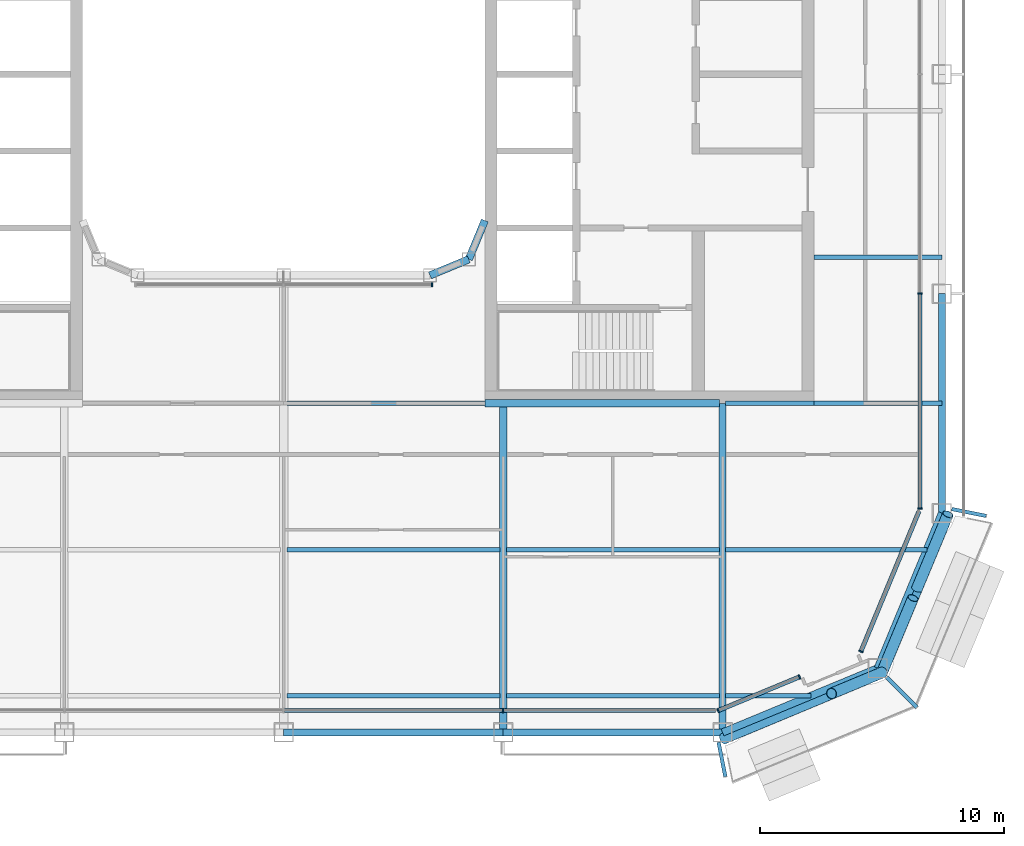
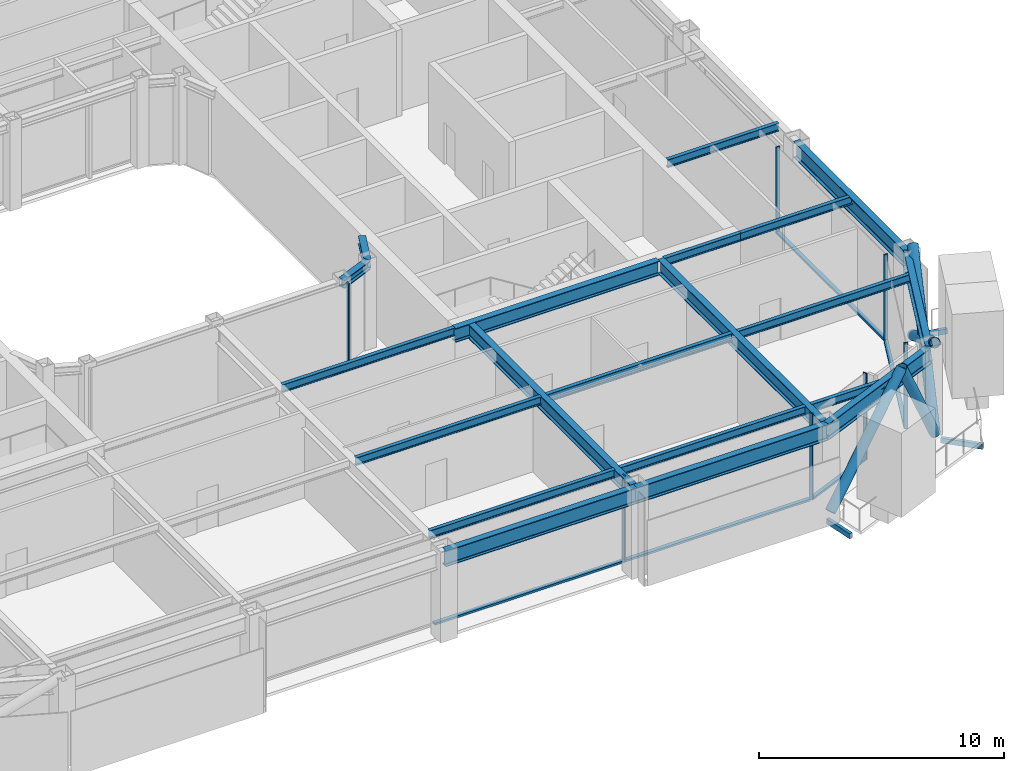
# One storey, part 4 of 23: 23 beams, 17 members, 5 elements without a shape of their own.
"""IFC4 building model written with IfcOpenShell, lengths in metres."""

from ifc_helpers import new_model, si_unit, direction, frame, origin, origin_2d, place, context, subcontext, project, spatial, rectangle, hollow_rectangle, hollow_circle, i_section, extrude, material, layer, layer_set, material_profile, profile_set, type_object, element, aggregate, save


model = new_model("IFC4")

# Units and contexts
model_context = context("Model", 3, precision=1e-05, world=origin(), true_north=direction((0.0, 1.0)))
body_context = subcontext(model_context, "Body", "Model", "MODEL_VIEW")
ifc_project = project(units=[si_unit("LENGTHUNIT", "METRE"), si_unit("AREAUNIT", "SQUARE_METRE"), si_unit("VOLUMEUNIT", "CUBIC_METRE"), si_unit("PLANEANGLEUNIT", "RADIAN"), si_unit("MASSUNIT", "GRAM", prefix="KILO")], contexts=[model_context])

# Site, building, storey
site_placement = place(None, origin())
site = spatial("IfcSite", under=ifc_project, at=site_placement, CompositionType="ELEMENT")
building_placement = place(site_placement, origin())
building = spatial("IfcBuilding", under=site, at=building_placement, Name="Siwar Civic Tower", CompositionType="ELEMENT")
storey_placement = place(building_placement, frame((0.0, 0.0, 273.699951171875)))
storey = spatial("IfcBuildingStorey", under=building, at=storey_placement, Name="L59", CompositionType="ELEMENT", Elevation=273.699951171875)

# Beams
ifc_material_1 = material(Name="Steel S355", Category="steel")
ifc_material_profile_1 = material_profile(ifc_material_1, hollow_rectangle(XDim=0.14990234375, YDim=0.25, WallThickness=0.010009765625, at=origin_2d()), Name="RHS250x150x10")
ifc_profile_set_1 = profile_set([ifc_material_profile_1], Name="Steel S355")
beam_type_1 = type_object("IfcBeamType", Name="ENV-BALCONY ARM", PredefinedType="BEAM", material=ifc_profile_set_1)
beam_1_placement = place(storey_placement, frame((17.8349609375, -27.39990234375, -0.27490234375), z_axis=(0.195042496631, -0.980794792252, 0.0), x_axis=(0.980794792252, 0.195042496631, 0.0)))
element("IfcBeam", 1, at=beam_1_placement, inside=storey, type_object=beam_type_1, Name="Balcony cantilever beam SE 1", PredefinedType="BEAM", context=body_context, shape_type="SweptSolid", body=[
    extrude(hollow_rectangle(XDim=0.14990234375, YDim=0.25, WallThickness=0.010009765625, at=origin_2d()), origin(), (0.0, 0.0, 1.0), 1.443359375),
])
beam_2_placement = place(storey_placement, frame((24.728515625, -24.728515625, -0.27490234375), z_axis=(0.707106781187, -0.707106781187, 0.0), x_axis=(0.707106781187, 0.707106781187, 0.0)))
element("IfcBeam", 2, at=beam_2_placement, inside=storey, type_object=beam_type_1, Name="Balcony cantilever beam SE 2", PredefinedType="BEAM", context=body_context, shape_type="SweptSolid", body=[
    extrude(hollow_rectangle(XDim=0.14990234375, YDim=0.25, WallThickness=0.010009765625, at=origin_2d()), origin(), (0.0, 0.0, 1.0), 1.75732421875),
])
beam_3_placement = place(storey_placement, frame((27.39990234375, -17.8349609375, -0.27490234375), z_axis=(0.980794792252, -0.195042496631, 0.0), x_axis=(0.195042496631, 0.980794792252, 0.0)))
element("IfcBeam", 3, at=beam_3_placement, inside=storey, type_object=beam_type_1, Name="Balcony cantilever beam SE 3", PredefinedType="BEAM", context=body_context, shape_type="SweptSolid", body=[
    extrude(hollow_rectangle(XDim=0.14990234375, YDim=0.25, WallThickness=0.010009765625, at=origin_2d()), origin(), (0.0, 0.0, 1.0), 1.443359375),
])

# Curtain wall, member
ifc_material_2 = material(Name="Aluminium and glass", Category="aluminium")
ifc_layer_1 = layer(ifc_material_2, 0.179931640625)
ifc_layer_set_1 = layer_set([ifc_layer_1], Name="Aluminium and glass")
curtain_wall_type_1 = type_object("IfcCurtainWallType", Name="ENV-CW-C", PredefinedType="NOTDEFINED", material=ifc_layer_set_1)
curtain_wall_1_placement = place(storey_placement, origin())
curtain_wall_1 = element("IfcCurtainWall", 4, at=curtain_wall_1_placement, inside=storey, type_object=curtain_wall_type_1, Name="Curtain wall C S", PredefinedType="NOTDEFINED")
ifc_material_3 = material(Name="Aluminium 6063-T6", Category="aluminium")
ifc_material_profile_2 = material_profile(ifc_material_3, rectangle(XDim=0.179931640625, YDim=0.06005859375, at=origin_2d()), Name="AL 180x60")
ifc_profile_set_2 = profile_set([ifc_material_profile_2], Name="Aluminium 6063-T6")
member_type_1 = type_object("IfcMemberType", Name="ENV-MULLION-C", PredefinedType="MULLION", material=ifc_profile_set_2)
member_1_placement = place(storey_placement, frame((9.0, -26.10009765625, 0.0), z_axis=(0.0, 0.0, 1.0), x_axis=(0.0, 1.0, 0.0)))
member_1 = element("IfcMember", 5, at=member_1_placement, type_object=member_type_1, Name="Mullion C S 4", PredefinedType="MULLION", context=body_context, shape_type="SweptSolid", body=[
    extrude(rectangle(XDim=0.179931640625, YDim=0.06005859375, at=origin_2d()), origin(), (0.0, 0.0, 1.0), 4.300048828125),
])

# Curtain wall, members
ifc_material_4 = material(Name="Aluminium clad insulated panel", Category="aluminium")
ifc_layer_2 = layer(ifc_material_4, 0.179931640625)
ifc_layer_set_2 = layer_set([ifc_layer_2], Name="Aluminium clad insulated panel")
curtain_wall_type_2 = type_object("IfcCurtainWallType", Name="ENV-CW-CX", PredefinedType="NOTDEFINED", material=ifc_layer_set_2)
curtain_wall_2_placement = place(storey_placement, origin())
curtain_wall_2 = element("IfcCurtainWall", 6, at=curtain_wall_2_placement, inside=storey, type_object=curtain_wall_type_2, Name="Curtain wall C SE1", PredefinedType="NOTDEFINED")
member_2_placement = place(storey_placement, frame((17.821044921875, -26.10009765625, 0.0), z_axis=(0.0, 0.0, 1.0), x_axis=(-0.382683432365, 0.923879532511, 0.0)))
member_2 = element("IfcMember", 7, at=member_2_placement, type_object=member_type_1, Name="Mullion C SE1 1", PredefinedType="MULLION", context=body_context, shape_type="SweptSolid", body=[
    extrude(rectangle(XDim=0.179931640625, YDim=0.06005859375, at=origin_2d()), origin(), (0.0, 0.0, 1.0), 4.300048828125),
])
member_3_placement = place(storey_placement, frame((21.153564453125, -24.719482421875, 0.0), z_axis=(0.0, 0.0, 1.0), x_axis=(-0.382683432365, 0.923879532511, 0.0)))
member_3 = element("IfcMember", 8, at=member_3_placement, type_object=member_type_1, Name="Mullion C SE1 2", PredefinedType="MULLION", context=body_context, shape_type="SweptSolid", body=[
    extrude(rectangle(XDim=0.179931640625, YDim=0.06005859375, at=origin_2d()), origin(), (0.0, 0.0, 1.0), 4.300048828125),
])

# Curtain wall, member
curtain_wall_3_placement = place(storey_placement, origin())
curtain_wall_3 = element("IfcCurtainWall", 9, at=curtain_wall_3_placement, inside=storey, type_object=curtain_wall_type_2, Name="Curtain wall C SE2", PredefinedType="NOTDEFINED")
member_4_placement = place(storey_placement, frame((23.675048828125, -23.675048828125, 0.0), z_axis=(0.0, 0.0, 1.0), x_axis=(-0.923879532511, 0.382683432365, 0.0)))
member_4 = element("IfcMember", 10, at=member_4_placement, type_object=member_type_1, Name="Mullion C SE2 1", PredefinedType="MULLION", context=body_context, shape_type="SweptSolid", body=[
    extrude(rectangle(XDim=0.179931640625, YDim=0.06005859375, at=origin_2d()), origin(), (0.0, 0.0, 1.0), 4.300048828125),
])

# Curtain wall, members
curtain_wall_4_placement = place(storey_placement, origin())
curtain_wall_4 = element("IfcCurtainWall", 11, at=curtain_wall_4_placement, inside=storey, type_object=curtain_wall_type_1, Name="Curtain wall C E", PredefinedType="NOTDEFINED")
member_5_placement = place(storey_placement, frame((26.10009765625, -17.821044921875, 0.0), z_axis=(0.0, 0.0, 1.0), x_axis=(-1.0, 0.0, 0.0)))
member_5 = element("IfcMember", 12, at=member_5_placement, type_object=member_type_1, Name="Mullion C E 1", PredefinedType="MULLION", context=body_context, shape_type="SweptSolid", body=[
    extrude(rectangle(XDim=0.179931640625, YDim=0.06005859375, at=origin_2d()), origin(), (0.0, 0.0, 1.0), 4.300048828125),
])
member_6_placement = place(storey_placement, frame((26.10009765625, -9.0, 0.0), z_axis=(0.0, 0.0, 1.0), x_axis=(-1.0, 0.0, 0.0)))
member_6 = element("IfcMember", 13, at=member_6_placement, type_object=member_type_1, Name="Mullion C E 2", PredefinedType="MULLION", context=body_context, shape_type="SweptSolid", body=[
    extrude(rectangle(XDim=0.179931640625, YDim=0.06005859375, at=origin_2d()), origin(), (0.0, 0.0, 1.0), 4.300048828125),
])

# Curtain wall, member
ifc_material_5 = material(Name="Aluminium and glass", Category="aluminium")
ifc_layer_3 = layer(ifc_material_5, 0.179931640625)
ifc_layer_set_3 = layer_set([ifc_layer_3], Name="Aluminium and glass")
curtain_wall_type_3 = type_object("IfcCurtainWallType", Name="ENV-CW-W", PredefinedType="NOTDEFINED", material=ifc_layer_set_3)
curtain_wall_5_placement = place(storey_placement, origin())
curtain_wall_5 = element("IfcCurtainWall", 14, at=curtain_wall_5_placement, inside=storey, type_object=curtain_wall_type_3, Name="Curtain wall W WS", PredefinedType="NOTDEFINED")
ifc_material_6 = material(Name="Aluminium 6063-T6", Category="aluminium")
ifc_material_profile_3 = material_profile(ifc_material_6, rectangle(XDim=0.179931640625, YDim=0.06005859375, at=origin_2d()), Name="AL 180x60")
ifc_profile_set_3 = profile_set([ifc_material_profile_3], Name="Aluminium 6063-T6")
member_type_2 = type_object("IfcMemberType", Name="ENV-MULLION-W", PredefinedType="MULLION", material=ifc_profile_set_3)
member_7_placement = place(storey_placement, frame((6.07666015625, -8.635009765625, 0.0), z_axis=(0.0, 0.0, 1.0), x_axis=(0.0, 1.0, 0.0)))
member_7 = element("IfcMember", 15, at=member_7_placement, type_object=member_type_2, Name="Mullion W WS 3", PredefinedType="MULLION", context=body_context, shape_type="SweptSolid", body=[
    extrude(rectangle(XDim=0.179931640625, YDim=0.06005859375, at=origin_2d()), origin(), (0.0, 0.0, 1.0), 4.300048828125),
])
aggregate(curtain_wall_5, [member_7])

# Member
ifc_material_7 = material(Name="Aluminium 6063-T6", Category="aluminium")
ifc_material_profile_4 = material_profile(ifc_material_7, rectangle(XDim=0.179931640625, YDim=0.10009765625, at=origin_2d()), Name="AL 180x100")
ifc_profile_set_4 = profile_set([ifc_material_profile_4], Name="Aluminium 6063-T6")
member_type_3 = type_object("IfcMemberType", Name="ENV-TRANSOM-C", PredefinedType="USERDEFINED", material=ifc_profile_set_4)
member_8_placement = place(storey_placement, frame((0.030029296875, -26.10009765625, 0.050048828125), z_axis=(1.0, 0.0, 0.0), x_axis=(0.0, 1.0, 0.0)))
member_8 = element("IfcMember", 16, at=member_8_placement, type_object=member_type_3, Name="Transom C S 3", ObjectType="TRANSOM", PredefinedType="USERDEFINED", context=body_context, shape_type="SweptSolid", body=[
    extrude(rectangle(XDim=0.179931640625, YDim=0.10009765625, at=origin_2d()), origin(), (0.0, 0.0, 1.0), 8.93994140625),
])

member_9_placement = place(storey_placement, frame((9.030029296875, -26.10009765625, 0.050048828125), z_axis=(1.0, 0.0, 0.0), x_axis=(0.0, 1.0, 0.0)))
member_9 = element("IfcMember", 17, at=member_9_placement, type_object=member_type_3, Name="Transom C S 4", ObjectType="TRANSOM", PredefinedType="USERDEFINED", context=body_context, shape_type="SweptSolid", body=[
    extrude(rectangle(XDim=0.179931640625, YDim=0.10009765625, at=origin_2d()), origin(), (0.0, 0.0, 1.0), 8.68603515625),
])

aggregate(curtain_wall_1, [member_1, member_8, member_9])

member_10_placement = place(storey_placement, frame((17.8486328125, -26.088623046875, 0.050048828125), z_axis=(0.92386500214, 0.3827185099, 0.0), x_axis=(-0.3827185099, 0.92386500214, 0.0)))
member_10 = element("IfcMember", 18, at=member_10_placement, type_object=member_type_3, Name="Transom C SE1 1", ObjectType="TRANSOM", PredefinedType="USERDEFINED", context=body_context, shape_type="SweptSolid", body=[
    extrude(rectangle(XDim=0.179931640625, YDim=0.10009765625, at=origin_2d()), origin(), (0.0, 0.0, 1.0), 3.54736328125),
])

aggregate(curtain_wall_2, [member_2, member_3, member_10])

member_11_placement = place(storey_placement, frame((23.6865234375, -23.6474609375, 0.050048828125), z_axis=(0.382691366456, 0.923876246063, 0.0), x_axis=(-0.923876246063, 0.382691366456, 0.0)))
member_11 = element("IfcMember", 19, at=member_11_placement, type_object=member_type_3, Name="Transom C SE2 1", ObjectType="TRANSOM", PredefinedType="USERDEFINED", context=body_context, shape_type="SweptSolid", body=[
    extrude(rectangle(XDim=0.179931640625, YDim=0.10009765625, at=origin_2d()), origin(), (0.0, 0.0, 1.0), 6.20166015625),
])

aggregate(curtain_wall_3, [member_4, member_11])

member_12_placement = place(storey_placement, frame((26.10009765625, -17.791015625, 0.050048828125), z_axis=(0.0, 1.0, 0.0), x_axis=(-1.0, 0.0, 0.0)))
member_12 = element("IfcMember", 20, at=member_12_placement, type_object=member_type_3, Name="Transom C E 1", ObjectType="TRANSOM", PredefinedType="USERDEFINED", context=body_context, shape_type="SweptSolid", body=[
    extrude(rectangle(XDim=0.179931640625, YDim=0.10009765625, at=origin_2d()), origin(), (0.0, 0.0, 1.0), 8.760986328125),
])

aggregate(curtain_wall_4, [member_5, member_6, member_12])

# Members
ifc_material_8 = material(Name="Steel S355", Category="steel")
ifc_material_profile_5 = material_profile(ifc_material_8, hollow_circle(Radius=0.228515625, WallThickness=0.02001953125, at=origin_2d()), Name="CHS457x20")
ifc_profile_set_5 = profile_set([ifc_material_profile_5], Name="Steel S355")
member_type_4 = type_object("IfcMemberType", Name="STR-BR-CHS457x20", PredefinedType="BRACE", material=ifc_profile_set_5)
member_13_placement = place(storey_placement, frame((27.2451171875, -18.048828125, 0.0), z_axis=(-0.323905527954, -0.777554562952, 0.538975055633), x_axis=(0.923108759191, -0.384538969033, 0.0)))
element("IfcMember", 21, at=member_13_placement, inside=storey, type_object=member_type_4, Name="L59/brc/CSE1-19-0-1", PredefinedType="BRACE", context=body_context, shape_type="SweptSolid", body=[
    extrude(hollow_circle(Radius=0.228515625, WallThickness=0.02001953125, at=origin_2d()), origin(), (0.0, 0.0, 1.0), 8.34912109375),
])
for number, where, z_axis, x_axis, name in (
    (22, (24.540771484375, -24.540771484375, 0.0), (0.323884455881, 0.777546448489, 0.538999424564), (-0.92311621485, 0.38452107079, 0.0), "L59/brc/CSE1-19-0-2"),
    (23, (25.972900390625, -21.10302734375, 2.383056640625), (0.323895306243, 0.777572496853, 0.538955325357), (-0.92311621485, 0.38452107079, 0.0), "L59/brc/CSE1-19-0-3"),
):
    element("IfcMember", number, at=place(storey_placement, frame(where, z_axis=z_axis, x_axis=x_axis)), inside=storey, type_object=member_type_4, Name=name, PredefinedType="BRACE", context=body_context, shape_type="SweptSolid", body=[
        extrude(hollow_circle(Radius=0.228515625, WallThickness=0.02001953125, at=origin_2d()), origin(), (0.0, 0.0, 1.0), 3.927978515625),
    ])
member_14_placement = place(storey_placement, frame((18.048828125, -27.2451171875, 0.0), z_axis=(0.672864582402, 0.280310719993, 0.684601456328), x_axis=(-0.384557494138, 0.923101041979, 0.0)))
element("IfcMember", 24, at=member_14_placement, inside=storey, type_object=member_type_4, Name="L59/brc/CSE1-19-0-0", PredefinedType="BRACE", context=body_context, shape_type="SweptSolid", body=[
    extrude(hollow_circle(Radius=0.228515625, WallThickness=0.02001953125, at=origin_2d()), origin(), (0.0, 0.0, 1.0), 6.5732421875),
])
member_15_placement = place(storey_placement, frame((24.540771484375, -24.540771484375, 0.0), z_axis=(-0.411570178484, -0.171426870802, 0.895110504993), x_axis=(0.384499368559, -0.923125254544, 0.0)))
element("IfcMember", 25, at=member_15_placement, inside=storey, type_object=member_type_4, Name="L59/brc/CSE1-19-0-6", PredefinedType="BRACE", context=body_context, shape_type="SweptSolid", body=[
    extrude(hollow_circle(Radius=0.228515625, WallThickness=0.02001953125, at=origin_2d()), origin(), (0.0, 0.0, 1.0), 5.02734375),
])

# Beams
ifc_material_9 = material(Name="Steel S355", Category="steel")
ifc_material_profile_6 = material_profile(ifc_material_9, i_section(OverallWidth=0.179931640625, OverallDepth=0.39990234375, WebThickness=0.008544921875, FlangeThickness=0.013427734375, FilletRadius=0.02099609375, at=origin_2d()), Name="IPE400")
ifc_profile_set_6 = profile_set([ifc_material_profile_6], Name="Steel S355")
beam_type_2 = type_object("IfcBeamType", Name="STR-FB-IPE400", PredefinedType="JOIST", material=ifc_profile_set_6)
for number, where, z_axis, x_axis, name in (
    (26, (0.1298828125, -25.5, 4.10009765625), (1.0, 0.0, 0.0), (0.0, 1.0, 0.0), "L59/bm/F004"),
    (27, (9.1298828125, -25.5, 4.10009765625), (1.0, 0.0, 0.0), (0.0, 1.0, 0.0), "L59/bm/F005"),
):
    element("IfcBeam", number, at=place(storey_placement, frame(where, z_axis=z_axis, x_axis=x_axis)), inside=storey, type_object=beam_type_2, Name=name, PredefinedType="JOIST", context=body_context, shape_type="SweptSolid", body=[
        extrude(i_section(OverallWidth=0.179931640625, OverallDepth=0.39990234375, WebThickness=0.008544921875, FlangeThickness=0.013427734375, FilletRadius=0.02099609375, at=origin_2d()), origin(), (0.0, 0.0, 1.0), 8.740234375),
    ])
beam_4_placement = place(storey_placement, frame((18.1298828125, -25.5, 4.10009765625), z_axis=(1.0, 0.0, 0.0), x_axis=(0.0, 1.0, 0.0)))
element("IfcBeam", 28, at=beam_4_placement, inside=storey, type_object=beam_type_2, Name="L59/bm/F006", PredefinedType="JOIST", context=body_context, shape_type="SweptSolid", body=[
    extrude(i_section(OverallWidth=0.179931640625, OverallDepth=0.39990234375, WebThickness=0.008544921875, FlangeThickness=0.013427734375, FilletRadius=0.02099609375, at=origin_2d()), origin(), (0.0, 0.0, 1.0), 3.491455078125),
])
for number, where, z_axis, x_axis, name in (
    (29, (0.1298828125, -19.5, 4.10009765625), (1.0, 0.0, 0.0), (0.0, 1.0, 0.0), "L59/bm/F010"),
    (30, (9.1298828125, -19.5, 4.10009765625), (1.0, 0.0, 0.0), (0.0, 1.0, 0.0), "L59/bm/F011"),
):
    element("IfcBeam", number, at=place(storey_placement, frame(where, z_axis=z_axis, x_axis=x_axis)), inside=storey, type_object=beam_type_2, Name=name, PredefinedType="JOIST", context=body_context, shape_type="SweptSolid", body=[
        extrude(i_section(OverallWidth=0.179931640625, OverallDepth=0.39990234375, WebThickness=0.008544921875, FlangeThickness=0.013427734375, FilletRadius=0.02099609375, at=origin_2d()), origin(), (0.0, 0.0, 1.0), 8.740234375),
    ])
beam_5_placement = place(storey_placement, frame((18.1298828125, -19.5, 4.10009765625), z_axis=(1.0, 0.0, 0.0), x_axis=(0.0, 1.0, 0.0)))
element("IfcBeam", 31, at=beam_5_placement, inside=storey, type_object=beam_type_2, Name="L59/bm/F012", PredefinedType="JOIST", context=body_context, shape_type="SweptSolid", body=[
    extrude(i_section(OverallWidth=0.179931640625, OverallDepth=0.39990234375, WebThickness=0.008544921875, FlangeThickness=0.013427734375, FilletRadius=0.02099609375, at=origin_2d()), origin(), (0.0, 0.0, 1.0), 8.248779296875),
])
beam_6_placement = place(storey_placement, frame((0.1298828125, -13.5, 4.10009765625), z_axis=(1.0, 0.0, 0.0), x_axis=(0.0, 1.0, 0.0)))
element("IfcBeam", 32, at=beam_6_placement, inside=storey, type_object=beam_type_2, Name="L59/bm/F017", PredefinedType="JOIST", context=body_context, shape_type="SweptSolid", body=[
    extrude(i_section(OverallWidth=0.179931640625, OverallDepth=0.39990234375, WebThickness=0.008544921875, FlangeThickness=0.013427734375, FilletRadius=0.02099609375, at=origin_2d()), origin(), (0.0, 0.0, 1.0), 8.1201171875),
])
beam_7_placement = place(storey_placement, frame((18.1298828125, -13.5, 4.10009765625), z_axis=(1.0, 0.0, 0.0), x_axis=(0.0, 1.0, 0.0)))
element("IfcBeam", 33, at=beam_7_placement, inside=storey, type_object=beam_type_2, Name="L59/bm/F019", PredefinedType="JOIST", context=body_context, shape_type="SweptSolid", body=[
    extrude(i_section(OverallWidth=0.179931640625, OverallDepth=0.39990234375, WebThickness=0.008544921875, FlangeThickness=0.013427734375, FilletRadius=0.02099609375, at=origin_2d()), origin(), (0.0, 0.0, 1.0), 3.6201171875),
])
for number, where, z_axis, x_axis, name in (
    (34, (21.75, -13.5, 4.10009765625), (1.0, 0.0, 0.0), (0.0, 1.0, 0.0), "L59/bm/F020"),
    (35, (21.75, -7.5, 4.10009765625), (1.0, 0.0, 0.0), (0.0, 1.0, 0.0), "L59/bm/F022"),
):
    element("IfcBeam", number, at=place(storey_placement, frame(where, z_axis=z_axis, x_axis=x_axis)), inside=storey, type_object=beam_type_2, Name=name, PredefinedType="JOIST", context=body_context, shape_type="SweptSolid", body=[
        extrude(i_section(OverallWidth=0.179931640625, OverallDepth=0.39990234375, WebThickness=0.008544921875, FlangeThickness=0.013427734375, FilletRadius=0.02099609375, at=origin_2d()), origin(), (0.0, 0.0, 1.0), 5.25),
    ])
ifc_material_10 = material(Name="Steel S355", Category="steel")
ifc_material_profile_7 = material_profile(ifc_material_10, i_section(OverallWidth=0.300048828125, OverallDepth=0.699951171875, WebThickness=0.01708984375, FlangeThickness=0.031982421875, FilletRadius=0.027099609375, at=origin_2d()), Name="HEB700")
ifc_profile_set_7 = profile_set([ifc_material_profile_7], Name="Steel S355")
beam_type_3 = type_object("IfcBeamType", Name="STR-PG-HEB700", PredefinedType="BEAM", material=ifc_profile_set_7)
for number, where, z_axis, x_axis, name in (
    (36, (9.0, -27.0, 3.949951171875), (0.0, 1.0, 0.0), (-1.0, 0.0, 0.0), "L59/bm/G07"),
    (37, (18.0, -27.0, 3.949951171875), (0.0, 1.0, 0.0), (-1.0, 0.0, 0.0), "L59/bm/G09"),
):
    element("IfcBeam", number, at=place(storey_placement, frame(where, z_axis=z_axis, x_axis=x_axis)), inside=storey, type_object=beam_type_3, Name=name, PredefinedType="BEAM", context=body_context, shape_type="SweptSolid", body=[
        extrude(i_section(OverallWidth=0.300048828125, OverallDepth=0.699951171875, WebThickness=0.01708984375, FlangeThickness=0.031982421875, FilletRadius=0.027099609375, at=origin_2d()), origin(), (0.0, 0.0, 1.0), 13.5),
    ])
beam_8_placement = place(storey_placement, frame((8.25, -13.5, 3.949951171875), z_axis=(1.0, 0.0, 0.0), x_axis=(0.0, 1.0, 0.0)))
element("IfcBeam", 38, at=beam_8_placement, inside=storey, type_object=beam_type_3, Name="L59/bm/F018", PredefinedType="BEAM", context=body_context, shape_type="SweptSolid", body=[
    extrude(i_section(OverallWidth=0.300048828125, OverallDepth=0.699951171875, WebThickness=0.01708984375, FlangeThickness=0.031982421875, FilletRadius=0.027099609375, at=origin_2d()), origin(), (0.0, 0.0, 1.0), 9.6201171875),
])
ifc_material_11 = material(Name="Steel S355", Category="steel")
ifc_material_profile_8 = material_profile(ifc_material_11, i_section(OverallWidth=0.306884765625, OverallDepth=0.431884765625, WebThickness=0.02099609375, FlangeThickness=0.0400390625, FilletRadius=0.027099609375, at=origin_2d()), Name="HEM400")
ifc_profile_set_8 = profile_set([ifc_material_profile_8], Name="Steel S355")
beam_type_4 = type_object("IfcBeamType", Name="STR-RB-HEM400", PredefinedType="BEAM", material=ifc_profile_set_8)
for number, where, z_axis, x_axis, name in (
    (39, (6.0, -8.25, 4.083984375), (0.923901072997, 0.382631424892, 0.0), (-0.382631424892, 0.923901072997, 0.0), "L59/bm/RS3"),
    (40, (7.591064453125, -7.591064453125, 4.083984375), (0.382631424892, 0.923901072997, 0.0), (-0.923901072997, 0.382631424892, 0.0), "L59/bm/RSEE"),
):
    element("IfcBeam", number, at=place(storey_placement, frame(where, z_axis=z_axis, x_axis=x_axis)), inside=storey, type_object=beam_type_4, Name=name, PredefinedType="BEAM", context=body_context, shape_type="SweptSolid", body=[
        extrude(i_section(OverallWidth=0.306884765625, OverallDepth=0.431884765625, WebThickness=0.02099609375, FlangeThickness=0.0400390625, FilletRadius=0.027099609375, at=origin_2d()), origin(), (0.0, 0.0, 1.0), 1.72216796875),
    ])
ifc_material_12 = material(Name="Steel S355", Category="steel")
ifc_material_profile_9 = material_profile(ifc_material_12, i_section(OverallWidth=0.300048828125, OverallDepth=0.800048828125, WebThickness=0.017578125, FlangeThickness=0.032958984375, FilletRadius=0.030029296875, at=origin_2d()), Name="HEB800")
ifc_profile_set_9 = profile_set([ifc_material_profile_9], Name="Steel S355")
beam_type_5 = type_object("IfcBeamType", Name="STR-SB-HEB800", PredefinedType="BEAM", material=ifc_profile_set_9)
for number, where, z_axis, x_axis, name in (
    (41, (0.0, -27.0, 3.900146484375), (1.0, 0.0, 0.0), (0.0, 1.0, 0.0), "L59/bm/SS-2"),
    (42, (9.0, -27.0, 3.900146484375), (1.0, 0.0, 0.0), (0.0, 1.0, 0.0), "L59/bm/SS-3"),
):
    element("IfcBeam", number, at=place(storey_placement, frame(where, z_axis=z_axis, x_axis=x_axis)), inside=storey, type_object=beam_type_5, Name=name, PredefinedType="BEAM", context=body_context, shape_type="SweptSolid", body=[
        extrude(i_section(OverallWidth=0.300048828125, OverallDepth=0.800048828125, WebThickness=0.017578125, FlangeThickness=0.032958984375, FilletRadius=0.030029296875, at=origin_2d()), origin(), (0.0, 0.0, 1.0), 9.0),
    ])
for number, where, z_axis, x_axis, name in (
    (43, (18.0, -27.0, 3.900146484375), (0.923883353507, 0.382674207535, 0.0), (-0.382674207535, 0.923883353507, 0.0), "L59/bm/SSE1-0"),
    (44, (24.364013671875, -24.364013671875, 3.900146484375), (0.382674207535, 0.923883353507, 0.0), (-0.923883353507, 0.382674207535, 0.0), "L59/bm/SSE2-0"),
):
    element("IfcBeam", number, at=place(storey_placement, frame(where, z_axis=z_axis, x_axis=x_axis)), inside=storey, type_object=beam_type_5, Name=name, PredefinedType="BEAM", context=body_context, shape_type="SweptSolid", body=[
        extrude(i_section(OverallWidth=0.300048828125, OverallDepth=0.800048828125, WebThickness=0.017578125, FlangeThickness=0.032958984375, FilletRadius=0.030029296875, at=origin_2d()), origin(), (0.0, 0.0, 1.0), 6.888427734375),
    ])
beam_9_placement = place(storey_placement, frame((27.0, -18.0, 3.900146484375), z_axis=(0.0, 1.0, 0.0), x_axis=(-1.0, 0.0, 0.0)))
element("IfcBeam", 45, at=beam_9_placement, inside=storey, type_object=beam_type_5, Name="L59/bm/SE-0", PredefinedType="BEAM", context=body_context, shape_type="SweptSolid", body=[
    extrude(i_section(OverallWidth=0.300048828125, OverallDepth=0.800048828125, WebThickness=0.017578125, FlangeThickness=0.032958984375, FilletRadius=0.030029296875, at=origin_2d()), origin(), (0.0, 0.0, 1.0), 9.0),
])

save(model, "model.ifc")
